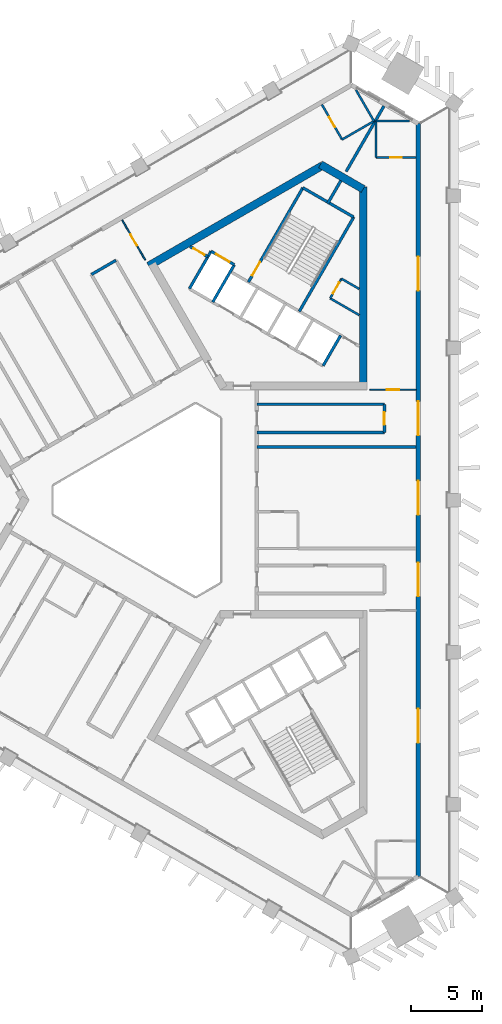
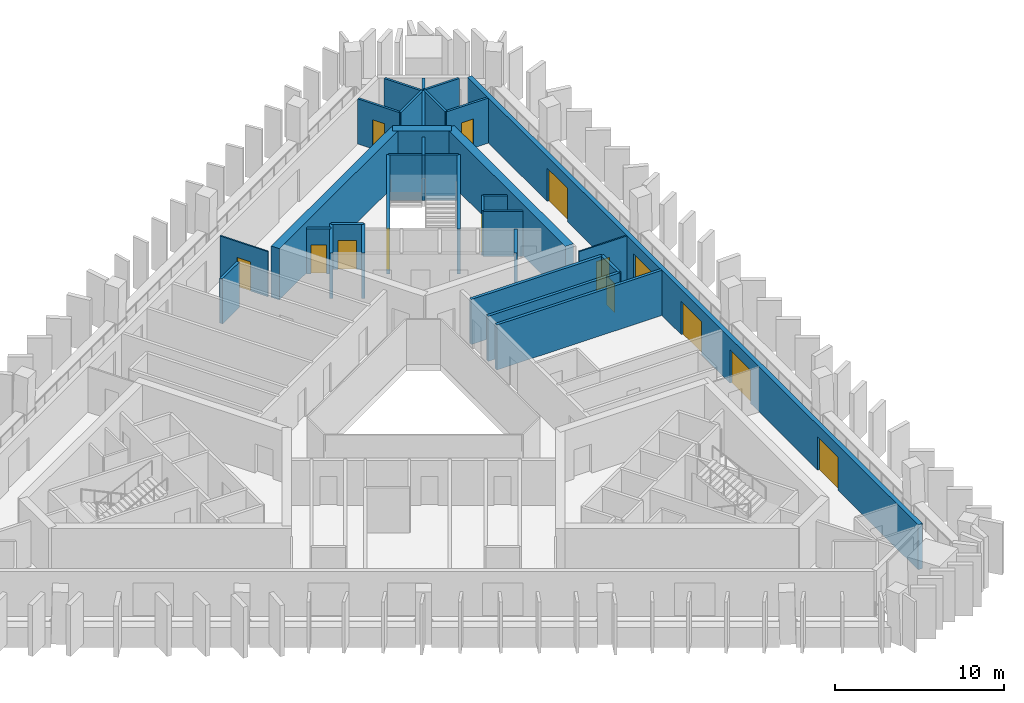
# One storey, part 6 of 10: 30 walls, 14 doors, 14 openings.
"""IFC4 building model written with IfcOpenShell, lengths in metres."""

from ifc_helpers import new_model, si_unit, direction, frame, frame_2d, origin, place, context, subcontext, project, spatial, rectangle, extrude, material, layer, layer_set, type_object, element, fill, save


model = new_model("IFC4")

# Units and contexts
model_context = context("Model", 3, precision=1e-05, world=origin(), true_north=direction((0.0, 1.0)))
body_context = subcontext(model_context, "Body", "Model", "MODEL_VIEW")
ifc_project = project(units=[si_unit("LENGTHUNIT", "METRE"), si_unit("AREAUNIT", "SQUARE_METRE"), si_unit("VOLUMEUNIT", "CUBIC_METRE"), si_unit("PLANEANGLEUNIT", "RADIAN"), si_unit("MASSUNIT", "GRAM", prefix="KILO")], contexts=[model_context])

# Site, building, storey
site_placement = place(None, origin())
site = spatial("IfcSite", under=ifc_project, at=site_placement, CompositionType="ELEMENT")
building_placement = place(site_placement, origin())
building = spatial("IfcBuilding", under=site, at=building_placement, Name="Jabali Bay Hotel Tower and Convention Centre", CompositionType="ELEMENT")
storey_placement = place(building_placement, frame((0.0, 0.0, 178.5)))
storey = spatial("IfcBuildingStorey", under=building, at=storey_placement, Name="L43", CompositionType="ELEMENT", Elevation=178.5)

# Wall
ifc_material_1 = material(Name="Concrete C40", Category="concrete")
ifc_layer_1 = layer(ifc_material_1, 0.199951171875)
ifc_layer_set_1 = layer_set([ifc_layer_1], Name="Concrete C40")
wall_type_1 = type_object("IfcWallType", Name="Core partition wall 200", PredefinedType="PARTITIONING", material=ifc_layer_set_1)
wall_1_placement = place(storey_placement, frame((87.090087890625, 100.9404296875, 0.0), z_axis=(0.0, 0.0, 1.0), x_axis=(0.499951854219, 0.86605319898, 0.0)))
element("IfcWall", 1, at=wall_1_placement, inside=storey, type_object=wall_type_1, Name="Core wall 1.5 L43", PredefinedType="PARTITIONING", context=body_context, shape_type="SweptSolid", body=[
    extrude(rectangle(XDim=1.873291015625, YDim=0.199951171875, at=frame_2d((0.9365234375, 0.0))), origin(), (0.0, 0.0, 1.0), 3.25),
])

# Wall, opening, door
wall_2_placement = place(storey_placement, frame((78.630126953125, 97.187744140625, 0.0), z_axis=(0.0, 0.0, 1.0), x_axis=(-0.866003949776, 0.500037157592, 0.0)))
wall_2 = element("IfcWall", 2, at=wall_2_placement, inside=storey, type_object=wall_type_1, Name="Core wall 1.12 L43", PredefinedType="PARTITIONING", context=body_context, shape_type="SweptSolid", body=[
    extrude(rectangle(XDim=1.455078125, YDim=0.199951171875, at=frame_2d((0.7275390625, 0.0))), origin(), (0.0, 0.0, 1.0), 3.25),
])
opening_1_placement = place(wall_2_placement, frame((0.277587890625, 0.0, 0.0)))
opening_1 = element("IfcOpeningElement", 3, at=opening_1_placement, cuts=wall_2, Name="Opening D937", PredefinedType="OPENING", context=body_context, shape_type="SweptSolid", body=[
    extrude(rectangle(XDim=0.89990234375, YDim=2.10009765625, at=frame_2d((0.449951171875, 1.050048828125))), frame((0.0, 0.1103515625, 0.0), z_axis=(0.0, -1.0, 0.0), x_axis=(1.0, 0.0, 0.0)), (0.0, 0.0, 1.0), 0.220947265625),
])
ifc_material_2 = material(Name="Fire-rated steel door", Category="steel")
door_type_1 = type_object("IfcDoorType", Name="Vestibule fire door 900 x 2100", OperationType="NOTDEFINED", PredefinedType="NOTDEFINED", material=ifc_material_2)
door_1_placement = place(opening_1_placement, origin())
door_1 = element("IfcDoor", 4, at=door_1_placement, inside=storey, type_object=door_type_1, Name="Vestibule fire door D937", OperationType="SINGLE_SWING_LEFT", OverallHeight=2.10009765625, OverallWidth=0.89990234375, PredefinedType="NOTDEFINED", context=body_context, shape_type="SweptSolid", body=[
    extrude(rectangle(XDim=0.89990234375, YDim=2.10009765625, at=frame_2d((0.449951171875, 1.050048828125))), frame((0.0, 0.02490234375, 0.0), z_axis=(0.0, -1.0, 0.0), x_axis=(1.0, 0.0, 0.0)), (0.0, 0.0, 1.0), 0.050048828125),
])
fill(opening_1, door_1)

ifc_material_3 = material(Name="Fire-rated board partition")
ifc_layer_2 = layer(ifc_material_3, 0.14990234375)
ifc_layer_set_2 = layer_set([ifc_layer_2], Name="Fire-rated board partition")
wall_type_2 = type_object("IfcWallType", Name="Core room partition 150", PredefinedType="PARTITIONING", material=ifc_layer_set_2)
wall_3_placement = place(storey_placement, frame((87.27099609375, 94.254150390625, 0.0), z_axis=(0.0, 0.0, 1.0), x_axis=(0.499995408039, 0.866028054938, 0.0)))
wall_3 = element("IfcWall", 5, at=wall_3_placement, inside=storey, type_object=wall_type_2, Name="Core wall 1.1 L43", PredefinedType="PARTITIONING", context=body_context, shape_type="SweptSolid", body=[
    extrude(rectangle(XDim=1.60009765625, YDim=0.14990234375, at=frame_2d((0.800048828125, 0.0))), origin(), (0.0, 0.0, 1.0), 3.25),
])
opening_2_placement = place(wall_3_placement, frame((0.387451171875, 0.0, 0.0)))
opening_2 = element("IfcOpeningElement", 6, at=opening_2_placement, cuts=wall_3, Name="Opening D940", PredefinedType="OPENING", context=body_context, shape_type="SweptSolid", body=[
    extrude(rectangle(XDim=0.89990234375, YDim=2.10009765625, at=frame_2d((0.449951171875, 1.050048828125))), frame((0.0, 0.08544921875, 0.0), z_axis=(0.0, -1.0, 0.0), x_axis=(1.0, 0.0, 0.0)), (0.0, 0.0, 1.0), 0.1708984375),
])
door_type_2 = type_object("IfcDoorType", Name="Core room door 900 x 2100", OperationType="NOTDEFINED", PredefinedType="NOTDEFINED", material=ifc_material_2)
door_2_placement = place(opening_2_placement, origin())
door_2 = element("IfcDoor", 7, at=door_2_placement, inside=storey, type_object=door_type_2, Name="Core room door D940", OperationType="SINGLE_SWING_LEFT", OverallHeight=2.10009765625, OverallWidth=0.89990234375, PredefinedType="NOTDEFINED", context=body_context, shape_type="SweptSolid", body=[
    extrude(rectangle(XDim=0.89990234375, YDim=2.10009765625, at=frame_2d((0.449951171875, 1.050048828125))), frame((0.0, 0.02490234375, 0.0), z_axis=(0.0, -1.0, 0.0), x_axis=(1.0, 0.0, 0.0)), (0.0, 0.0, 1.0), 0.050048828125),
])
fill(opening_2, door_2)

# Walls
wall_4_placement = place(storey_placement, frame((89.330078125, 93.0654296875, 0.0), z_axis=(0.0, 0.0, 1.0), x_axis=(-0.866041951395, 0.499971337603, 0.0)))
element("IfcWall", 8, at=wall_4_placement, inside=storey, type_object=wall_type_2, Name="Core wall 1.14 L43", PredefinedType="PARTITIONING", context=body_context, shape_type="SweptSolid", body=[
    extrude(rectangle(XDim=2.377685546875, YDim=0.14990234375, at=frame_2d((1.18896484375, 0.0))), origin(), (0.0, 0.0, 1.0), 3.25),
])
wall_5_placement = place(storey_placement, frame((89.330078125, 94.912841796875, 0.0), z_axis=(0.0, 0.0, 1.0), x_axis=(-0.865981433661, 0.500076150755, 0.0)))
element("IfcWall", 9, at=wall_5_placement, inside=storey, type_object=wall_type_2, Name="Core wall 1.15 L43", PredefinedType="PARTITIONING", context=body_context, shape_type="SweptSolid", body=[
    extrude(rectangle(XDim=1.453857421875, YDim=0.14990234375, at=frame_2d((0.72705078125, 0.0))), origin(), (0.0, 0.0, 1.0), 3.25),
])
ifc_layer_3 = layer(ifc_material_1, 0.199951171875)
ifc_layer_set_3 = layer_set([ifc_layer_3], Name="Concrete C40")
wall_type_3 = type_object("IfcWallType", Name="Core stair wall 200", PredefinedType="SOLIDWALL", material=ifc_layer_set_3)
wall_6_placement = place(storey_placement, frame((86.769775390625, 89.48583984375, 0.0), z_axis=(0.0, 0.0, 1.0), x_axis=(0.499961042966, 0.86604789447, 0.0)))
element("IfcWall", 10, at=wall_6_placement, inside=storey, type_object=wall_type_3, Name="Core wall 1.0 L43", PredefinedType="SOLIDWALL", context=body_context, shape_type="SweptSolid", body=[
    extrude(rectangle(XDim=2.480224609375, YDim=0.199951171875, at=frame_2d((1.240234375, 0.0))), origin(), (0.0, 0.0, 1.0), 3.25),
])
wall_7_placement = place(storey_placement, frame((85.0869140625, 93.3212890625, 0.0), z_axis=(0.0, 0.0, 1.0), x_axis=(0.500019787375, 0.866013979237, 0.0)))
element("IfcWall", 11, at=wall_7_placement, inside=storey, type_object=wall_type_3, Name="Core wall 1.3 L43", PredefinedType="SOLIDWALL", context=body_context, shape_type="SweptSolid", body=[
    extrude(rectangle(XDim=7.699951171875, YDim=0.199951171875, at=frame_2d((3.85009765625, 0.0))), origin(), (0.0, 0.0, 1.0), 3.25),
])

# Wall, opening, door
wall_8_placement = place(storey_placement, frame((81.492919921875, 95.396240234375, 0.0), z_axis=(0.0, 0.0, 1.0), x_axis=(0.500006057782, 0.866021906294, 0.0)))
wall_8 = element("IfcWall", 12, at=wall_8_placement, inside=storey, type_object=wall_type_3, Name="Core wall 1.7 L43", PredefinedType="SOLIDWALL", context=body_context, shape_type="SweptSolid", body=[
    extrude(rectangle(XDim=7.7001953125, YDim=0.199951171875, at=frame_2d((3.85009765625, 0.0))), origin(), (0.0, 0.0, 1.0), 3.25),
])
opening_3_placement = place(wall_8_placement, frame((0.550048828125, 0.0, 0.0)))
opening_3 = element("IfcOpeningElement", 13, at=opening_3_placement, cuts=wall_8, Name="Opening D939", PredefinedType="OPENING", context=body_context, shape_type="SweptSolid", body=[
    extrude(rectangle(XDim=1.10009765625, YDim=2.10009765625, at=frame_2d((0.550048828125, 1.050048828125))), frame((0.0, 0.1103515625, 0.0), z_axis=(0.0, -1.0, 0.0), x_axis=(1.0, 0.0, 0.0)), (0.0, 0.0, 1.0), 0.220947265625),
])
door_type_3 = type_object("IfcDoorType", Name="Stair fire door 1100 x 2100", OperationType="NOTDEFINED", PredefinedType="NOTDEFINED", material=ifc_material_2)
door_3_placement = place(opening_3_placement, origin())
door_3 = element("IfcDoor", 14, at=door_3_placement, inside=storey, type_object=door_type_3, Name="Stair fire door D939", OperationType="SINGLE_SWING_RIGHT", OverallHeight=2.10009765625, OverallWidth=1.10009765625, PredefinedType="NOTDEFINED", context=body_context, shape_type="SweptSolid", body=[
    extrude(rectangle(XDim=1.10009765625, YDim=2.10009765625, at=frame_2d((0.550048828125, 1.050048828125))), frame((0.0, 0.02490234375, 0.0), z_axis=(0.0, -1.0, 0.0), x_axis=(1.0, 0.0, 0.0)), (0.0, 0.0, 1.0), 0.050048828125),
])
fill(opening_3, door_3)

# Walls
for number, where, z_axis, x_axis, name in (
    (15, (78.9755859375, 93.98583984375, 0.0), (0.0, 0.0, 1.0), (0.499944174705, 0.866057632134, 0.0), "Core wall 1.8 L43"),
    (16, (77.330078125, 94.93603515625, 0.0), (0.0, 0.0, 1.0), (0.500038867431, 0.8660029625, 0.0), "Core wall 1.9 L43"),
):
    element("IfcWall", number, at=place(storey_placement, frame(where, z_axis=z_axis, x_axis=x_axis)), inside=storey, type_object=wall_type_3, Name=name, PredefinedType="SOLIDWALL", context=body_context, shape_type="SweptSolid", body=[
        extrude(rectangle(XDim=3.050048828125, YDim=0.199951171875, at=frame_2d((1.52490234375, 0.0))), origin(), (0.0, 0.0, 1.0), 3.25),
    ])

# Wall, opening, door
wall_9_placement = place(storey_placement, frame((80.50048828125, 96.62744140625, 0.0), z_axis=(0.0, 0.0, 1.0), x_axis=(-0.86601224135, 0.500022797313, 0.0)))
wall_9 = element("IfcWall", 17, at=wall_9_placement, inside=storey, type_object=wall_type_3, Name="Core wall 1.13 L43", PredefinedType="SOLIDWALL", context=body_context, shape_type="SweptSolid", body=[
    extrude(rectangle(XDim=1.89990234375, YDim=0.199951171875, at=frame_2d((0.949951171875, 0.0))), origin(), (0.0, 0.0, 1.0), 3.25),
])
opening_4_placement = place(wall_9_placement, frame((0.39990234375, 0.0, 0.0)))
opening_4 = element("IfcOpeningElement", 18, at=opening_4_placement, cuts=wall_9, Name="Opening LD10-L43", PredefinedType="OPENING", context=body_context, shape_type="SweptSolid", body=[
    extrude(rectangle(XDim=1.10009765625, YDim=2.10009765625, at=frame_2d((0.550048828125, 1.050048828125))), frame((0.0, 0.1103515625, 0.0), z_axis=(0.0, -1.0, 0.0), x_axis=(1.0, 0.0, 0.0)), (0.0, 0.0, 1.0), 0.220947265625),
])
ifc_material_4 = material(Name="Stainless steel landing door", Category="steel")
door_type_4 = type_object("IfcDoorType", Name="Landing door 1100 x 2100", OperationType="NOTDEFINED", PredefinedType="NOTDEFINED", material=ifc_material_4)
door_4_placement = place(opening_4_placement, origin())
door_4 = element("IfcDoor", 19, at=door_4_placement, inside=storey, type_object=door_type_4, Name="Landing doors LD10-L43", OperationType="SLIDING_TO_RIGHT", OverallHeight=2.10009765625, OverallWidth=1.10009765625, PredefinedType="NOTDEFINED", context=body_context, shape_type="SweptSolid", body=[
    extrude(rectangle(XDim=1.10009765625, YDim=2.10009765625, at=frame_2d((0.550048828125, 1.050048828125))), frame((0.0, 0.02490234375, 0.0), z_axis=(0.0, -1.0, 0.0), x_axis=(1.0, 0.0, 0.0)), (0.0, 0.0, 1.0), 0.050048828125),
])
fill(opening_4, door_4)

# Walls
wall_10_placement = place(storey_placement, frame((88.93701171875, 99.989501953125, 0.0), z_axis=(0.0, 0.0, 1.0), x_axis=(-0.866004344652, 0.500036473714, 0.0)))
element("IfcWall", 20, at=wall_10_placement, inside=storey, type_object=wall_type_3, Name="Core wall 1.16 L43", PredefinedType="SOLIDWALL", context=body_context, shape_type="SweptSolid", body=[
    extrude(rectangle(XDim=4.150146484375, YDim=0.199951171875, at=frame_2d((2.0751953125, 0.0))), origin(), (0.0, 0.0, 1.0), 3.25),
])
ifc_material_5 = material(Name="Concrete C60", Category="concrete")
ifc_layer_4 = layer(ifc_material_5, 0.550048828125)
ifc_layer_set_4 = layer_set([ifc_layer_4], Name="Concrete C60")
wall_type_4 = type_object("IfcWallType", Name="Core wall 550", PredefinedType="SHEAR", material=ifc_layer_set_4)
wall_11_placement = place(storey_placement, frame((89.60498046875, 88.0693359375, 0.0), z_axis=(0.0, 0.0, 1.0), x_axis=(0.0, 1.0, 0.0)))
element("IfcWall", 21, at=wall_11_placement, inside=storey, type_object=wall_type_4, Name="Core wall 2.2 L43", PredefinedType="SHEAR", context=body_context, shape_type="SweptSolid", body=[
    extrude(rectangle(XDim=14.058349609375, YDim=0.550048828125, at=frame_2d((7.029296875, 0.0))), origin(), (0.0, 0.0, 1.0), 3.699951171875),
])
wall_12_placement = place(storey_placement, frame((89.60498046875, 101.96875, 0.0), z_axis=(0.0, 0.0, 1.0), x_axis=(-0.865997833373, 0.500047750313, 0.0)))
element("IfcWall", 22, at=wall_12_placement, inside=storey, type_object=wall_type_4, Name="Core wall 2.3 L43", PredefinedType="SHEAR", context=body_context, shape_type="SweptSolid", body=[
    extrude(rectangle(XDim=3.486572265625, YDim=0.550048828125, at=frame_2d((1.7431640625, 0.0))), origin(), (0.0, 0.0, 1.0), 3.699951171875),
])
wall_13_placement = place(storey_placement, frame((86.72314453125, 103.6328125, 0.0), z_axis=(0.0, 0.0, 1.0), x_axis=(-0.866023530946, -0.500003243837, 0.0)))
element("IfcWall", 23, at=wall_13_placement, inside=storey, type_object=wall_type_4, Name="Core wall 2.4 L43", PredefinedType="SHEAR", context=body_context, shape_type="SweptSolid", body=[
    extrude(rectangle(XDim=14.1748046875, YDim=0.550048828125, at=frame_2d((7.08740234375, 0.0))), origin(), (0.0, 0.0, 1.0), 3.699951171875),
])

# Wall, openings, doors
ifc_layer_5 = layer(ifc_material_1, 0.300048828125)
ifc_layer_set_5 = layer_set([ifc_layer_5], Name="Concrete C40")
wall_type_5 = type_object("IfcWallType", Name="External wall 300", PredefinedType="SOLIDWALL", material=ifc_layer_set_5)
wall_14_placement = place(storey_placement, frame((93.501953125, 106.602783203125, 0.0), z_axis=(0.0, 0.0, 1.0), x_axis=(0.0, -1.0, 0.0)))
wall_14 = element("IfcWall", 24, at=wall_14_placement, inside=storey, type_object=wall_type_5, Name="External wall east face L43", PredefinedType="SOLIDWALL", context=body_context, shape_type="SweptSolid", body=[
    extrude(rectangle(XDim=53.20556640625, YDim=0.300048828125, at=frame_2d((26.602783203125, 0.0))), origin(), (0.0, 0.0, 1.0), 3.25),
])
opening_5_placement = place(wall_14_placement, frame((31.0146484375, 0.0, 0.0)))
opening_5 = element("IfcOpeningElement", 25, at=opening_5_placement, cuts=wall_14, Name="Opening SD1", PredefinedType="OPENING", context=body_context, shape_type="SweptSolid", body=[
    extrude(rectangle(XDim=2.39990234375, YDim=2.39990234375, at=frame_2d((1.199951171875, 1.199951171875))), frame((0.0, 0.16064453125, 0.0), z_axis=(0.0, -1.0, 0.0), x_axis=(1.0, 0.0, 0.0)), (0.0, 0.0, 1.0), 0.321044921875),
])
opening_6_placement = place(wall_14_placement, frame((41.355712890625, 0.0, 0.0)))
opening_6 = element("IfcOpeningElement", 26, at=opening_6_placement, cuts=wall_14, Name="Opening SD1", PredefinedType="OPENING", context=body_context, shape_type="SweptSolid", body=[
    extrude(rectangle(XDim=2.39990234375, YDim=2.39990234375, at=frame_2d((1.199951171875, 1.199951171875))), frame((0.0, 0.16064453125, 0.0), z_axis=(0.0, -1.0, 0.0), x_axis=(1.0, 0.0, 0.0)), (0.0, 0.0, 1.0), 0.321044921875),
])
opening_7_placement = place(wall_14_placement, frame((19.635009765625, 0.0, 0.0)))
opening_7 = element("IfcOpeningElement", 27, at=opening_7_placement, cuts=wall_14, Name="Opening SD1", PredefinedType="OPENING", context=body_context, shape_type="SweptSolid", body=[
    extrude(rectangle(XDim=2.39990234375, YDim=2.39990234375, at=frame_2d((1.199951171875, 1.199951171875))), frame((0.0, 0.16064453125, 0.0), z_axis=(0.0, -1.0, 0.0), x_axis=(1.0, 0.0, 0.0)), (0.0, 0.0, 1.0), 0.321044921875),
])
opening_8_placement = place(wall_14_placement, frame((9.399658203125, 0.0, 0.0)))
opening_8 = element("IfcOpeningElement", 28, at=opening_8_placement, cuts=wall_14, Name="Opening SD1", PredefinedType="OPENING", context=body_context, shape_type="SweptSolid", body=[
    extrude(rectangle(XDim=2.39990234375, YDim=2.39990234375, at=frame_2d((1.199951171875, 1.199951171875))), frame((0.0, 0.16064453125, 0.0), z_axis=(0.0, -1.0, 0.0), x_axis=(1.0, 0.0, 0.0)), (0.0, 0.0, 1.0), 0.321044921875),
])
opening_9_placement = place(wall_14_placement, frame((25.2470703125, 0.0, 0.0)))
opening_9 = element("IfcOpeningElement", 29, at=opening_9_placement, cuts=wall_14, Name="Opening SD1", PredefinedType="OPENING", context=body_context, shape_type="SweptSolid", body=[
    extrude(rectangle(XDim=2.39990234375, YDim=2.39990234375, at=frame_2d((1.199951171875, 1.199951171875))), frame((0.0, 0.16064453125, 0.0), z_axis=(0.0, -1.0, 0.0), x_axis=(1.0, 0.0, 0.0)), (0.0, 0.0, 1.0), 0.321044921875),
])
ifc_material_6 = material(Name="Glass", Category="glass")
door_type_5 = type_object("IfcDoorType", Name="Loggia sliding door 2400 x 2400", OperationType="NOTDEFINED", PredefinedType="NOTDEFINED", material=ifc_material_6)
door_5_placement = place(opening_5_placement, origin())
door_5 = element("IfcDoor", 30, at=door_5_placement, inside=storey, type_object=door_type_5, Name="Loggia sliding door 4301", OperationType="SLIDING_TO_LEFT", OverallHeight=2.39990234375, OverallWidth=2.39990234375, PredefinedType="NOTDEFINED", context=body_context, shape_type="SweptSolid", body=[
    extrude(rectangle(XDim=2.39990234375, YDim=2.39990234375, at=frame_2d((1.199951171875, 1.199951171875))), frame((0.0, 0.02490234375, 0.0), z_axis=(0.0, -1.0, 0.0), x_axis=(1.0, 0.0, 0.0)), (0.0, 0.0, 1.0), 0.050048828125),
])
fill(opening_5, door_5)
door_6_placement = place(opening_6_placement, origin())
door_6 = element("IfcDoor", 31, at=door_6_placement, inside=storey, type_object=door_type_5, Name="Loggia sliding door 4301", OperationType="SLIDING_TO_RIGHT", OverallHeight=2.39990234375, OverallWidth=2.39990234375, PredefinedType="NOTDEFINED", context=body_context, shape_type="SweptSolid", body=[
    extrude(rectangle(XDim=2.39990234375, YDim=2.39990234375, at=frame_2d((1.199951171875, 1.199951171875))), frame((0.0, 0.02490234375, 0.0), z_axis=(0.0, -1.0, 0.0), x_axis=(1.0, 0.0, 0.0)), (0.0, 0.0, 1.0), 0.050048828125),
])
fill(opening_6, door_6)
door_7_placement = place(opening_7_placement, origin())
door_7 = element("IfcDoor", 32, at=door_7_placement, inside=storey, type_object=door_type_5, Name="Loggia sliding door 4304", OperationType="SLIDING_TO_LEFT", OverallHeight=2.39990234375, OverallWidth=2.39990234375, PredefinedType="NOTDEFINED", context=body_context, shape_type="SweptSolid", body=[
    extrude(rectangle(XDim=2.39990234375, YDim=2.39990234375, at=frame_2d((1.199951171875, 1.199951171875))), frame((0.0, 0.02490234375, 0.0), z_axis=(0.0, -1.0, 0.0), x_axis=(1.0, 0.0, 0.0)), (0.0, 0.0, 1.0), 0.050048828125),
])
fill(opening_7, door_7)
door_8_placement = place(opening_8_placement, origin())
door_8 = element("IfcDoor", 33, at=door_8_placement, inside=storey, type_object=door_type_5, Name="Loggia sliding door 4304", OperationType="SLIDING_TO_RIGHT", OverallHeight=2.39990234375, OverallWidth=2.39990234375, PredefinedType="NOTDEFINED", context=body_context, shape_type="SweptSolid", body=[
    extrude(rectangle(XDim=2.39990234375, YDim=2.39990234375, at=frame_2d((1.199951171875, 1.199951171875))), frame((0.0, 0.02490234375, 0.0), z_axis=(0.0, -1.0, 0.0), x_axis=(1.0, 0.0, 0.0)), (0.0, 0.0, 1.0), 0.050048828125),
])
fill(opening_8, door_8)
door_9_placement = place(opening_9_placement, origin())
door_9 = element("IfcDoor", 34, at=door_9_placement, inside=storey, type_object=door_type_5, Name="Loggia sliding door 4303", OperationType="SLIDING_TO_LEFT", OverallHeight=2.39990234375, OverallWidth=2.39990234375, PredefinedType="NOTDEFINED", context=body_context, shape_type="SweptSolid", body=[
    extrude(rectangle(XDim=2.39990234375, YDim=2.39990234375, at=frame_2d((1.199951171875, 1.199951171875))), frame((0.0, 0.02490234375, 0.0), z_axis=(0.0, -1.0, 0.0), x_axis=(1.0, 0.0, 0.0)), (0.0, 0.0, 1.0), 0.050048828125),
])
fill(opening_9, door_9)

# Wall, opening, door
ifc_material_7 = material(Name="Plasterboard on steel stud", Category="steel")
ifc_layer_6 = layer(ifc_material_7, 0.10009765625)
ifc_layer_set_6 = layer_set([ifc_layer_6], Name="Plasterboard on steel stud")
wall_type_6 = type_object("IfcWallType", Name="Partition 100 unit", PredefinedType="PARTITIONING", material=ifc_layer_set_6)
wall_15_placement = place(storey_placement, frame((93.35302734375, 87.794189453125, 0.0), z_axis=(0.0, 0.0, 1.0), x_axis=(-1.0, 0.0, 0.0)))
wall_15 = element("IfcWall", 35, at=wall_15_placement, inside=storey, type_object=wall_type_6, Name="Partition P02 L43 014", PredefinedType="PARTITIONING", context=body_context, shape_type="SweptSolid", body=[
    extrude(rectangle(XDim=3.27392578125, YDim=0.10009765625, at=frame_2d((1.636962890625, 0.0))), origin(), (0.0, 0.0, 1.0), 3.25),
])
opening_10_placement = place(wall_15_placement, frame((1.18701171875, 0.0, 0.0)))
opening_10 = element("IfcOpeningElement", 36, at=opening_10_placement, cuts=wall_15, Name="Opening 4308", PredefinedType="OPENING", context=body_context, shape_type="SweptSolid", body=[
    extrude(rectangle(XDim=0.89990234375, YDim=2.10009765625, at=frame_2d((0.449951171875, 1.050048828125))), frame((0.0, 0.060546875, 0.0), z_axis=(0.0, -1.0, 0.0), x_axis=(1.0, 0.0, 0.0)), (0.0, 0.0, 1.0), 0.12109375),
])
ifc_material_8 = material(Name="Timber", Category="wood")
door_type_6 = type_object("IfcDoorType", Name="Internal door 900 x 2100", OperationType="NOTDEFINED", PredefinedType="NOTDEFINED", material=ifc_material_8)
door_10_placement = place(opening_10_placement, origin())
door_10 = element("IfcDoor", 37, at=door_10_placement, inside=storey, type_object=door_type_6, Name="Door 4308", OperationType="SINGLE_SWING_RIGHT", OverallHeight=2.10009765625, OverallWidth=0.89990234375, PredefinedType="NOTDEFINED", context=body_context, shape_type="SweptSolid", body=[
    extrude(rectangle(XDim=0.89990234375, YDim=2.10009765625, at=frame_2d((0.449951171875, 1.050048828125))), frame((0.0, 0.02490234375, 0.0), z_axis=(0.0, -1.0, 0.0), x_axis=(1.0, 0.0, 0.0)), (0.0, 0.0, 1.0), 0.050048828125),
])
fill(opening_10, door_10)

wall_16_placement = place(storey_placement, frame((74.21044921875, 96.955810546875, 0.0), z_axis=(0.0, 0.0, 1.0), x_axis=(-0.499980647919, 0.866036576425, 0.0)))
wall_16 = element("IfcWall", 38, at=wall_16_placement, inside=storey, type_object=wall_type_6, Name="Partition P02 L43 022", PredefinedType="PARTITIONING", context=body_context, shape_type="SweptSolid", body=[
    extrude(rectangle(XDim=3.274169921875, YDim=0.10009765625, at=frame_2d((1.63720703125, 0.0))), origin(), (0.0, 0.0, 1.0), 3.25),
])
opening_11_placement = place(wall_16_placement, frame((1.18701171875, 0.0, 0.0)))
opening_11 = element("IfcOpeningElement", 39, at=opening_11_placement, cuts=wall_16, Name="Opening 4312", PredefinedType="OPENING", context=body_context, shape_type="SweptSolid", body=[
    extrude(rectangle(XDim=0.89990234375, YDim=2.10009765625, at=frame_2d((0.449951171875, 1.050048828125))), frame((0.0, 0.060546875, 0.0), z_axis=(0.0, -1.0, 0.0), x_axis=(1.0, 0.0, 0.0)), (0.0, 0.0, 1.0), 0.12109375),
])
door_11_placement = place(opening_11_placement, origin())
door_11 = element("IfcDoor", 40, at=door_11_placement, inside=storey, type_object=door_type_6, Name="Door 4312", OperationType="SINGLE_SWING_RIGHT", OverallHeight=2.10009765625, OverallWidth=0.89990234375, PredefinedType="NOTDEFINED", context=body_context, shape_type="SweptSolid", body=[
    extrude(rectangle(XDim=0.89990234375, YDim=2.10009765625, at=frame_2d((0.449951171875, 1.050048828125))), frame((0.0, 0.02490234375, 0.0), z_axis=(0.0, -1.0, 0.0), x_axis=(1.0, 0.0, 0.0)), (0.0, 0.0, 1.0), 0.050048828125),
])
fill(opening_11, door_11)

ifc_layer_7 = layer(ifc_material_7, 0.14990234375)
ifc_layer_set_7 = layer_set([ifc_layer_7], Name="Plasterboard on steel stud")
wall_type_7 = type_object("IfcWallType", Name="Partition 150 wet", PredefinedType="PARTITIONING", material=ifc_layer_set_7)
wall_17_placement = place(storey_placement, frame((93.35302734375, 104.1943359375, 0.0), z_axis=(0.0, 0.0, 1.0), x_axis=(-1.0, 0.0, 0.0)))
wall_17 = element("IfcWall", 41, at=wall_17_placement, inside=storey, type_object=wall_type_7, Name="Partition P03 L43 018", PredefinedType="PARTITIONING", context=body_context, shape_type="SweptSolid", body=[
    extrude(rectangle(XDim=2.8515625, YDim=0.14990234375, at=frame_2d((1.42578125, 0.0))), origin(), (0.0, 0.0, 1.0), 3.25),
])
opening_12_placement = place(wall_17_placement, frame((1.02587890625, 0.0, 0.0)))
opening_12 = element("IfcOpeningElement", 42, at=opening_12_placement, cuts=wall_17, Name="Opening 4309", PredefinedType="OPENING", context=body_context, shape_type="SweptSolid", body=[
    extrude(rectangle(XDim=0.800048828125, YDim=2.10009765625, at=frame_2d((0.39990234375, 1.050048828125))), frame((0.0, 0.08544921875, 0.0), z_axis=(0.0, -1.0, 0.0), x_axis=(1.0, 0.0, 0.0)), (0.0, 0.0, 1.0), 0.1708984375),
])
door_type_7 = type_object("IfcDoorType", Name="En-suite door 800 x 2100", OperationType="NOTDEFINED", PredefinedType="NOTDEFINED", material=ifc_material_8)
door_12_placement = place(opening_12_placement, origin())
door_12 = element("IfcDoor", 43, at=door_12_placement, inside=storey, type_object=door_type_7, Name="Door 4309", OperationType="SINGLE_SWING_LEFT", OverallHeight=2.10009765625, OverallWidth=0.800048828125, PredefinedType="NOTDEFINED", context=body_context, shape_type="SweptSolid", body=[
    extrude(rectangle(XDim=0.800048828125, YDim=2.10009765625, at=frame_2d((0.39990234375, 1.050048828125))), frame((0.0, 0.02490234375, 0.0), z_axis=(0.0, -1.0, 0.0), x_axis=(1.0, 0.0, 0.0)), (0.0, 0.0, 1.0), 0.050048828125),
])
fill(opening_12, door_12)

# Walls
wall_18_placement = place(storey_placement, frame((90.50146484375, 104.1943359375, 0.0), z_axis=(0.0, 0.0, 1.0), x_axis=(0.0, 1.0, 0.0)))
element("IfcWall", 44, at=wall_18_placement, inside=storey, type_object=wall_type_7, Name="Partition P03 L43 019", PredefinedType="PARTITIONING", context=body_context, shape_type="SweptSolid", body=[
    extrude(rectangle(XDim=2.599853515625, YDim=0.14990234375, at=frame_2d((1.2998046875, 0.0))), origin(), (0.0, 0.0, 1.0), 3.25),
])
wall_19_placement = place(storey_placement, frame((90.50146484375, 106.794189453125, 0.0), z_axis=(0.0, 0.0, 1.0), x_axis=(1.0, 0.0, 0.0)))
element("IfcWall", 45, at=wall_19_placement, inside=storey, type_object=wall_type_7, Name="Partition P03 L43 020", PredefinedType="PARTITIONING", context=body_context, shape_type="SweptSolid", body=[
    extrude(rectangle(XDim=2.370849609375, YDim=0.14990234375, at=frame_2d((1.185546875, 0.0))), origin(), (0.0, 0.0, 1.0), 3.25),
])
wall_20_placement = place(storey_placement, frame((89.093994140625, 108.975830078125, 0.0), z_axis=(0.0, 0.0, 1.0), x_axis=(0.499935570486, -0.866062598986, 0.0)))
element("IfcWall", 46, at=wall_20_placement, inside=storey, type_object=wall_type_7, Name="Partition P03 L43 027", PredefinedType="PARTITIONING", context=body_context, shape_type="SweptSolid", body=[
    extrude(rectangle(XDim=2.545166015625, YDim=0.14990234375, at=frame_2d((1.2724609375, 0.0))), origin(), (0.0, 0.0, 1.0), 3.25),
])
wall_21_placement = place(storey_placement, frame((90.366455078125, 106.771484375, 0.0), z_axis=(0.0, 0.0, 1.0), x_axis=(-0.865997922154, -0.500047596559, 0.0)))
element("IfcWall", 47, at=wall_21_placement, inside=storey, type_object=wall_type_7, Name="Partition P03 L43 028", PredefinedType="PARTITIONING", context=body_context, shape_type="SweptSolid", body=[
    extrude(rectangle(XDim=2.599853515625, YDim=0.14990234375, at=frame_2d((1.2998046875, 0.0))), origin(), (0.0, 0.0, 1.0), 3.25),
])

# Wall, opening, door
wall_22_placement = place(storey_placement, frame((88.114990234375, 105.471435546875, 0.0), z_axis=(0.0, 0.0, 1.0), x_axis=(-0.500006551472, 0.866021621257, 0.0)))
wall_22 = element("IfcWall", 48, at=wall_22_placement, inside=storey, type_object=wall_type_7, Name="Partition P03 L43 029", PredefinedType="PARTITIONING", context=body_context, shape_type="SweptSolid", body=[
    extrude(rectangle(XDim=2.8515625, YDim=0.14990234375, at=frame_2d((1.42578125, 0.0))), origin(), (0.0, 0.0, 1.0), 3.25),
])
opening_13_placement = place(wall_22_placement, frame((1.02587890625, 0.0, 0.0)))
opening_13 = element("IfcOpeningElement", 49, at=opening_13_placement, cuts=wall_22, Name="Opening 4313", PredefinedType="OPENING", context=body_context, shape_type="SweptSolid", body=[
    extrude(rectangle(XDim=0.800048828125, YDim=2.10009765625, at=frame_2d((0.39990234375, 1.050048828125))), frame((0.0, 0.08544921875, 0.0), z_axis=(0.0, -1.0, 0.0), x_axis=(1.0, 0.0, 0.0)), (0.0, 0.0, 1.0), 0.1708984375),
])
door_13_placement = place(opening_13_placement, origin())
door_13 = element("IfcDoor", 50, at=door_13_placement, inside=storey, type_object=door_type_7, Name="Door 4313", OperationType="SINGLE_SWING_LEFT", OverallHeight=2.10009765625, OverallWidth=0.800048828125, PredefinedType="NOTDEFINED", context=body_context, shape_type="SweptSolid", body=[
    extrude(rectangle(XDim=0.800048828125, YDim=2.10009765625, at=frame_2d((0.39990234375, 1.050048828125))), frame((0.0, 0.02490234375, 0.0), z_axis=(0.0, -1.0, 0.0), x_axis=(1.0, 0.0, 0.0)), (0.0, 0.0, 1.0), 0.050048828125),
])
fill(opening_13, door_13)

# Walls
ifc_layer_8 = layer(ifc_material_7, 0.199951171875)
ifc_layer_set_8 = layer_set([ifc_layer_8], Name="Plasterboard on steel stud")
wall_type_8 = type_object("IfcWallType", Name="Partition 200 party", PredefinedType="PARTITIONING", material=ifc_layer_set_8)
wall_23_placement = place(storey_placement, frame((93.35302734375, 83.7412109375, 0.0), z_axis=(0.0, 0.0, 1.0), x_axis=(-1.0, 0.0, 0.0)))
element("IfcWall", 51, at=wall_23_placement, inside=storey, type_object=wall_type_8, Name="Partition P01 L43 013", PredefinedType="PARTITIONING", context=body_context, shape_type="SweptSolid", body=[
    extrude(rectangle(XDim=11.2529296875, YDim=0.199951171875, at=frame_2d((5.62646484375, 0.0))), origin(), (0.0, 0.0, 1.0), 3.25),
])
wall_24_placement = place(storey_placement, frame((82.10009765625, 86.767822265625, 0.0), z_axis=(0.0, 0.0, 1.0), x_axis=(1.0, 0.0, 0.0)))
element("IfcWall", 52, at=wall_24_placement, inside=storey, type_object=wall_type_8, Name="Partition P01 L43 015", PredefinedType="PARTITIONING", context=body_context, shape_type="SweptSolid", body=[
    extrude(rectangle(XDim=9.0, YDim=0.199951171875, at=frame_2d((4.5, 0.0))), origin(), (0.0, 0.0, 1.0), 3.25),
])

# Wall, opening, door
wall_25_placement = place(storey_placement, frame((91.10009765625, 86.767822265625, 0.0), z_axis=(0.0, 0.0, 1.0), x_axis=(0.0, -1.0, 0.0)))
wall_25 = element("IfcWall", 53, at=wall_25_placement, inside=storey, type_object=wall_type_8, Name="Partition P01 L43 016", PredefinedType="PARTITIONING", context=body_context, shape_type="SweptSolid", body=[
    extrude(rectangle(XDim=2.0, YDim=0.199951171875, at=frame_2d((1.0, 0.0))), origin(), (0.0, 0.0, 1.0), 3.25),
])
opening_14_placement = place(wall_25_placement, frame((0.550048828125, 0.0, 0.0)))
opening_14 = element("IfcOpeningElement", 54, at=opening_14_placement, cuts=wall_25, Name="Opening 4310", PredefinedType="OPENING", context=body_context, shape_type="SweptSolid", body=[
    extrude(rectangle(XDim=0.89990234375, YDim=2.10009765625, at=frame_2d((0.449951171875, 1.050048828125))), frame((0.0, 0.1103515625, 0.0), z_axis=(0.0, -1.0, 0.0), x_axis=(1.0, 0.0, 0.0)), (0.0, 0.0, 1.0), 0.220947265625),
])
door_14_placement = place(opening_14_placement, origin())
door_14 = element("IfcDoor", 55, at=door_14_placement, inside=storey, type_object=door_type_6, Name="Door 4310", OperationType="SINGLE_SWING_RIGHT", OverallHeight=2.10009765625, OverallWidth=0.89990234375, PredefinedType="NOTDEFINED", context=body_context, shape_type="SweptSolid", body=[
    extrude(rectangle(XDim=0.89990234375, YDim=2.10009765625, at=frame_2d((0.449951171875, 1.050048828125))), frame((0.0, 0.02490234375, 0.0), z_axis=(0.0, -1.0, 0.0), x_axis=(1.0, 0.0, 0.0)), (0.0, 0.0, 1.0), 0.050048828125),
])
fill(opening_14, door_14)

# Walls
wall_26_placement = place(storey_placement, frame((91.10009765625, 84.767822265625, 0.0), z_axis=(0.0, 0.0, 1.0), x_axis=(-1.0, 0.0, 0.0)))
element("IfcWall", 56, at=wall_26_placement, inside=storey, type_object=wall_type_8, Name="Partition P01 L43 017", PredefinedType="PARTITIONING", context=body_context, shape_type="SweptSolid", body=[
    extrude(rectangle(XDim=9.0, YDim=0.199951171875, at=frame_2d((4.5, 0.0))), origin(), (0.0, 0.0, 1.0), 3.25),
])
wall_27_placement = place(storey_placement, frame((91.0703125, 107.834716796875, 0.0), z_axis=(0.0, 0.0, 1.0), x_axis=(-0.499970524249, -0.866042420948, 0.0)))
element("IfcWall", 57, at=wall_27_placement, inside=storey, type_object=wall_type_8, Name="Partition P01 L43 021", PredefinedType="PARTITIONING", context=body_context, shape_type="SweptSolid", body=[
    extrude(rectangle(XDim=5.338623046875, YDim=0.199951171875, at=frame_2d((2.66943359375, 0.0))), origin(), (0.0, 0.0, 1.0), 3.25),
])
wall_28_placement = place(storey_placement, frame((70.404052734375, 95.937255859375, 0.0), z_axis=(0.0, 0.0, 1.0), x_axis=(0.866010750942, 0.50002537861, 0.0)))
element("IfcWall", 58, at=wall_28_placement, inside=storey, type_object=wall_type_8, Name="Partition P01 L43 024", PredefinedType="PARTITIONING", context=body_context, shape_type="SweptSolid", body=[
    extrude(rectangle(XDim=2.0, YDim=0.199951171875, at=frame_2d((1.0, 0.0))), origin(), (0.0, 0.0, 1.0), 3.25),
])

save(model, "model.ifc")
